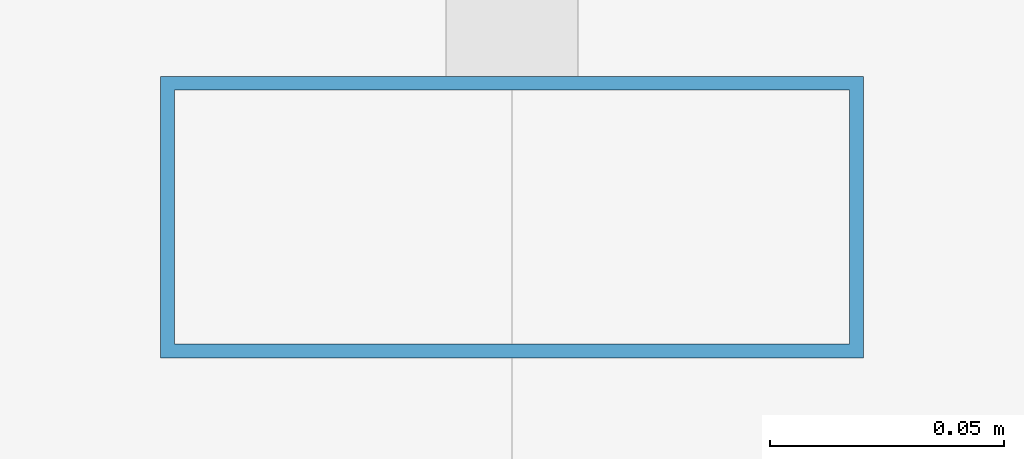
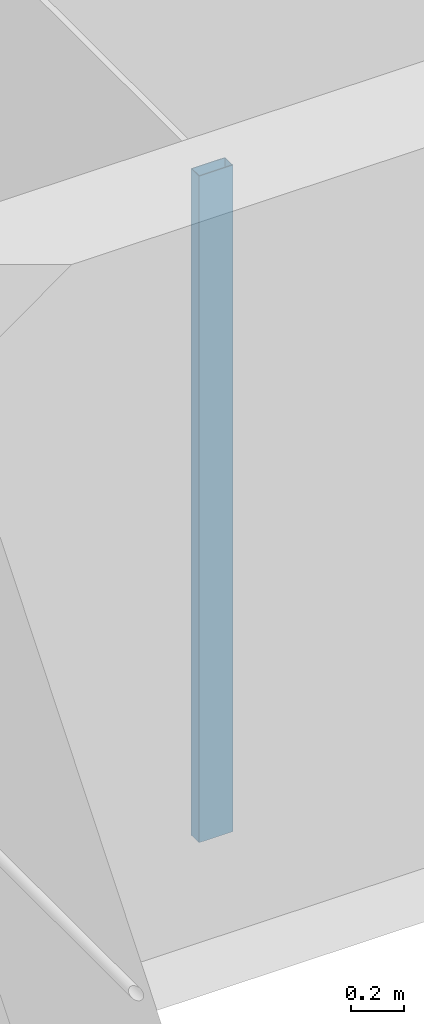
# One storey, part 11 of 30: 1 member, 1 element without a shape of its own.
"""IFC4 building model written with IfcOpenShell, lengths in metres."""

from ifc_helpers import new_model, si_unit, direction, frame, origin, origin_2d, place, context, subcontext, project, spatial, hollow_rectangle, extrude, material, material_profile, profile_set, type_object, element, aggregate, save


model = new_model("IFC4")

# Units and contexts
model_context = context("Model", 3, precision=1e-05, world=origin(), true_north=direction((0.0, 1.0)))
body_context = subcontext(model_context, "Body", "Model", "MODEL_VIEW")
ifc_project = project(units=[si_unit("LENGTHUNIT", "METRE"), si_unit("AREAUNIT", "SQUARE_METRE"), si_unit("VOLUMEUNIT", "CUBIC_METRE"), si_unit("PLANEANGLEUNIT", "RADIAN"), si_unit("MASSUNIT", "GRAM", prefix="KILO")], contexts=[model_context])

# Site, building, storey
site_placement = place(None, origin())
site = spatial("IfcSite", under=ifc_project, at=site_placement, CompositionType="ELEMENT")
building_placement = place(site_placement, origin())
building = spatial("IfcBuilding", under=site, at=building_placement, Name="Altepetl Exchange Towers", CompositionType="ELEMENT")
storey_placement = place(building_placement, frame((0.0, 0.0, 213.60009765625)))
storey = spatial("IfcBuildingStorey", under=building, at=storey_placement, Name="L54", CompositionType="ELEMENT", Elevation=213.60009765625)

# Curtain wall, member
ifc_material_1 = material(Name="Aluminium 6063-T6 glazing", Category="aluminium")
curtain_wall_type = type_object("IfcCurtainWallType", Name="Loggia glazing system", PredefinedType="NOTDEFINED", material=ifc_material_1)
curtain_wall_placement = place(storey_placement, origin())
curtain_wall = element("IfcCurtainWall", 1, at=curtain_wall_placement, inside=storey, type_object=curtain_wall_type, Name="CW1 run", PredefinedType="NOTDEFINED")
ifc_material_2 = material(Name="Aluminium 6063-T6", Category="aluminium")
ifc_material_profile = material_profile(ifc_material_2, hollow_rectangle(XDim=0.06005859375, YDim=0.14990234375, WallThickness=0.0029296875, at=origin_2d()), Name="Mullion 60x150 aluminium")
ifc_profile_set = profile_set([ifc_material_profile], Name="Aluminium 6063-T6")
member_type = type_object("IfcMemberType", Name="Mullion 60x150 aluminium", PredefinedType="MULLION", material=ifc_profile_set)
member_placement = place(storey_placement, frame((42.5, 58.60498046875, 0.0), z_axis=(0.0, 0.0, 1.0), x_axis=(0.0, -1.0, 0.0)))
member = element("IfcMember", 2, at=member_placement, type_object=member_type, Name="MU1 mullion", PredefinedType="MULLION", context=body_context, shape_type="SweptSolid", body=[
    extrude(hollow_rectangle(XDim=0.06005859375, YDim=0.14990234375, WallThickness=0.0029296875, at=origin_2d()), origin(), (0.0, 0.0, 1.0), 3.099853515625),
])
aggregate(curtain_wall, [member])

save(model, "model.ifc")
